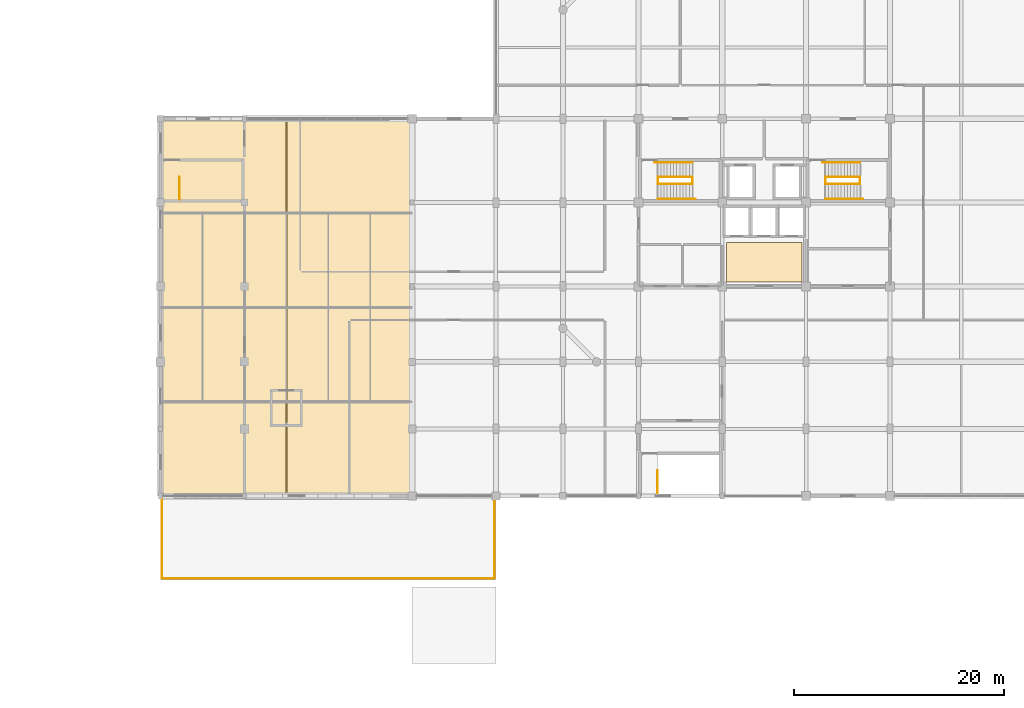
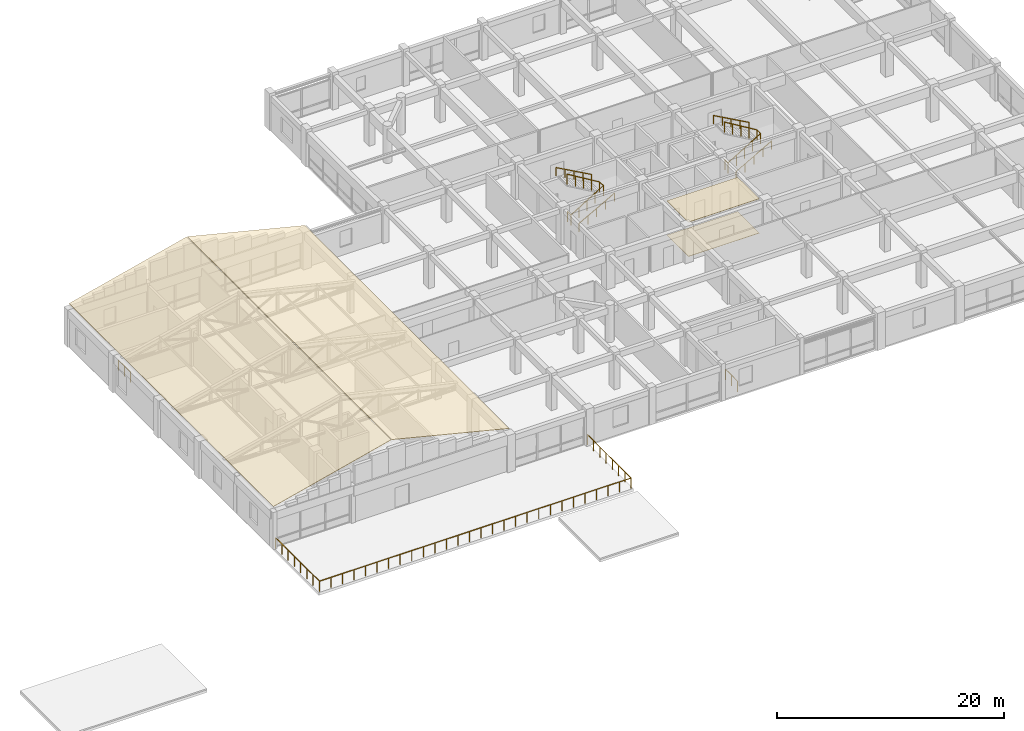
# One storey, part 27 of 27: 11 railings, 4 coverings.
"""IFC4 building model written with IfcOpenShell, lengths in metres."""

from ifc_helpers import new_model, si_unit, direction, frame, origin, origin_2d, place, context, subcontext, project, spatial, polyline, circle, outline, extrude, material, layer, layer_set, type_object, element, save


model = new_model("IFC4")

# Units and contexts
model_context = context("Model", 3, precision=1e-05, world=origin(), true_north=direction((0.0, 1.0)))
body_context = subcontext(model_context, "Body", "Model", "MODEL_VIEW")
ifc_project = project(units=[si_unit("LENGTHUNIT", "METRE"), si_unit("AREAUNIT", "SQUARE_METRE"), si_unit("VOLUMEUNIT", "CUBIC_METRE"), si_unit("PLANEANGLEUNIT", "RADIAN"), si_unit("MASSUNIT", "GRAM", prefix="KILO")], contexts=[model_context])

# Site, building, storey
site_placement = place(None, origin())
site = spatial("IfcSite", under=ifc_project, at=site_placement, CompositionType="ELEMENT")
building_placement = place(site_placement, origin())
building = spatial("IfcBuilding", under=site, at=building_placement, Name="Vellmiral Cinema and Media Centre", CompositionType="ELEMENT")
storey_placement = place(building_placement, frame((0.0, 0.0, 19.800048828125)))
storey = spatial("IfcBuildingStorey", under=building, at=storey_placement, Name="L04", CompositionType="ELEMENT", Elevation=19.800048828125)

# Coverings
ifc_material_1 = material(Name="Micro-Perforated Acoustic Gypsum Ceiling")
ifc_layer_1 = layer(ifc_material_1, 0.0400390625, Name="Micro-Perforated Acoustic Gypsum Ceiling")
ifc_layer_set_1 = layer_set([ifc_layer_1], Name="Micro-Perforated Acoustic Gypsum Ceiling")
covering_type_1 = type_object("IfcCoveringType", Name="COV-AC-CEILING", PredefinedType="CEILING", material=ifc_layer_set_1)
covering_1_placement = place(storey_placement, frame((0.0, 0.0, 3.679931640625)))
element("IfcCovering", 1, at=covering_1_placement, inside=storey, type_object=covering_type_1, Name="Acoustic Lobby Ceiling L04", PredefinedType="CEILING", context=body_context, shape_type="SweptSolid", body=[
    extrude(outline(polyline([(132.39990234375, 79.60009765625), (139.60009765625, 79.60009765625), (139.60009765625, 83.39990234375), (132.39990234375, 83.39990234375), (132.39990234375, 79.60009765625)])), origin(), (0.0, 0.0, 1.0), 0.0400390625),
])
ifc_material_2 = material(Name="Honed Terrazzo Acoustic Floor Finish")
ifc_layer_2 = layer(ifc_material_2, 0.030029296875, Name="Honed Terrazzo Acoustic Floor Finish")
ifc_layer_set_2 = layer_set([ifc_layer_2], Name="Honed Terrazzo Acoustic Floor Finish")
covering_type_2 = type_object("IfcCoveringType", Name="COV-TERR-FLOORING", PredefinedType="FLOORING", material=ifc_layer_set_2)
covering_2_placement = place(storey_placement, origin())
element("IfcCovering", 2, at=covering_2_placement, inside=storey, type_object=covering_type_2, Name="Terrazzo Lobby Flooring L04", PredefinedType="FLOORING", context=body_context, shape_type="SweptSolid", body=[
    extrude(outline(polyline([(132.39990234375, 79.60009765625), (139.60009765625, 79.60009765625), (139.60009765625, 83.39990234375), (132.39990234375, 83.39990234375), (132.39990234375, 79.60009765625)])), origin(), (0.0, 0.0, 1.0), 0.030029296875),
])
ifc_material_3 = material(Name="Glazed Catalan Ceramic Roof Tile")
ifc_layer_3 = layer(ifc_material_3, 0.044921875, Name="Glazed Catalan Ceramic Roof Tile")
ifc_layer_set_3 = layer_set([ifc_layer_3], Name="Glazed Catalan Ceramic Roof Tile")
covering_type_3 = type_object("IfcCoveringType", Name="COV-VAULT-ROOFING", PredefinedType="ROOFING", material=ifc_layer_set_3)
covering_3_placement = place(storey_placement, frame((78.39990234375, 59.199951171875, 4.417236328125), z_axis=(-0.241929649535, 0.0, 0.97029379297), x_axis=(0.97029379297, 0.0, 0.241929649535)))
element("IfcCovering", 3, at=covering_3_placement, inside=storey, type_object=covering_type_3, Name="Stepped Broadcast Bridge Barrel Vault Catalan Ceramic Vault Roofing A", PredefinedType="ROOFING", context=body_context, shape_type="SweptSolid", body=[
    extrude(outline(polyline([(0.0, 0.0), (12.324613617436892, 0.0), (12.324613617436892, 36.0), (0.0, 36.0), (0.0, 0.0)])), origin(), (0.0, 0.0, -1.0), 0.044921875),
])
covering_4_placement = place(storey_placement, frame((90.441650390625, 59.199951171875, 7.39892578125), z_axis=(0.241934299688, 0.0, 0.970292633505), x_axis=(0.970292633505, 0.0, -0.241934299688)))
element("IfcCovering", 4, at=covering_4_placement, inside=storey, type_object=covering_type_3, Name="Stepped Broadcast Bridge Barrel Vault Catalan Ceramic Vault Roofing B", PredefinedType="ROOFING", context=body_context, shape_type="SweptSolid", body=[
    extrude(outline(polyline([(0.0, 0.0), (12.324376729445378, 0.0), (12.324376729445378, 36.0), (0.0, 36.0), (0.0, 0.0)])), origin(), (0.0, 0.0, -1.0), 0.044921875),
])

# Railings
ifc_material_4 = material(Name="Forged Wrought-Iron Whiplash Balustrade", Category="steel")
railing_type_1 = type_object("IfcRailingType", Name="RL-BAL-WROUGHT-1120", PredefinedType="BALUSTRADE", material=ifc_material_4)
railing_1_placement = place(storey_placement, frame((78.550048828125, 59.050048828125, 0.0)))
element("IfcRailing", 5, at=railing_1_placement, inside=storey, type_object=railing_type_1, Name="Terrace Wrought-Iron Balustrade RL-TERR-L04-SOUTH", PredefinedType="BALUSTRADE", context=body_context, shape_type="SweptSolid", body=[
    extrude(circle(Radius=0.02392578125, at=origin_2d()), frame((0.0, 0.0, 1.09619140625), z_axis=(0.0, -1.0, 0.0), x_axis=(1.0, 0.0, 0.0)), (0.0, 0.0, 1.0), 7.699951171875),
    extrude(circle(Radius=0.02392578125, at=origin_2d()), frame((0.0, -7.699951171875, 1.09619140625), z_axis=(1.0, 0.0, 0.0), x_axis=(0.0, 1.0, 0.0)), (0.0, 0.0, 1.0), 31.699951171875),
    extrude(circle(Radius=0.02392578125, at=origin_2d()), frame((31.699951171875, -7.699951171875, 1.09619140625), z_axis=(0.0, 1.0, 0.0), x_axis=(-1.0, 0.0, 0.0)), (0.0, 0.0, 1.0), 7.699951171875),
    extrude(circle(Radius=0.02099609375, at=origin_2d()), origin(), (0.0, 0.0, 1.0), 1.072021484375),
    extrude(circle(Radius=0.02099609375, at=origin_2d()), frame((0.0, -1.10009765625, 0.0)), (0.0, 0.0, 1.0), 1.072021484375),
    extrude(circle(Radius=0.02099609375, at=origin_2d()), frame((0.0, -2.199951171875, 0.0)), (0.0, 0.0, 1.0), 1.072021484375),
    extrude(circle(Radius=0.02099609375, at=origin_2d()), frame((0.0, -3.300048828125, 0.0)), (0.0, 0.0, 1.0), 1.072021484375),
    extrude(circle(Radius=0.02099609375, at=origin_2d()), frame((0.0, -4.39990234375, 0.0)), (0.0, 0.0, 1.0), 1.072021484375),
    extrude(circle(Radius=0.02099609375, at=origin_2d()), frame((0.0, -5.5, 0.0)), (0.0, 0.0, 1.0), 1.072021484375),
    extrude(circle(Radius=0.02099609375, at=origin_2d()), frame((0.0, -6.599853515625, 0.0)), (0.0, 0.0, 1.0), 1.072021484375),
    extrude(circle(Radius=0.02099609375, at=origin_2d()), frame((0.0, -7.699951171875, 0.0)), (0.0, 0.0, 1.0), 1.072021484375),
    extrude(circle(Radius=0.02099609375, at=origin_2d()), frame((1.174072265625, -7.699951171875, 0.0)), (0.0, 0.0, 1.0), 1.072021484375),
    extrude(circle(Radius=0.02099609375, at=origin_2d()), frame((2.34814453125, -7.699951171875, 0.0)), (0.0, 0.0, 1.0), 1.072021484375),
    extrude(circle(Radius=0.02099609375, at=origin_2d()), frame((3.522216796875, -7.699951171875, 0.0)), (0.0, 0.0, 1.0), 1.072021484375),
    extrude(circle(Radius=0.02099609375, at=origin_2d()), frame((4.6962890625, -7.699951171875, 0.0)), (0.0, 0.0, 1.0), 1.072021484375),
    extrude(circle(Radius=0.02099609375, at=origin_2d()), frame((5.870361328125, -7.699951171875, 0.0)), (0.0, 0.0, 1.0), 1.072021484375),
    extrude(circle(Radius=0.02099609375, at=origin_2d()), frame((7.04443359375, -7.699951171875, 0.0)), (0.0, 0.0, 1.0), 1.072021484375),
    extrude(circle(Radius=0.02099609375, at=origin_2d()), frame((8.218505859375, -7.699951171875, 0.0)), (0.0, 0.0, 1.0), 1.072021484375),
    extrude(circle(Radius=0.02099609375, at=origin_2d()), frame((9.392578125, -7.699951171875, 0.0)), (0.0, 0.0, 1.0), 1.072021484375),
    extrude(circle(Radius=0.02099609375, at=origin_2d()), frame((10.566650390625, -7.699951171875, 0.0)), (0.0, 0.0, 1.0), 1.072021484375),
    extrude(circle(Radius=0.02099609375, at=origin_2d()), frame((11.74072265625, -7.699951171875, 0.0)), (0.0, 0.0, 1.0), 1.072021484375),
    extrude(circle(Radius=0.02099609375, at=origin_2d()), frame((12.914794921875, -7.699951171875, 0.0)), (0.0, 0.0, 1.0), 1.072021484375),
    extrude(circle(Radius=0.02099609375, at=origin_2d()), frame((14.0888671875, -7.699951171875, 0.0)), (0.0, 0.0, 1.0), 1.072021484375),
    extrude(circle(Radius=0.02099609375, at=origin_2d()), frame((15.262939453125, -7.699951171875, 0.0)), (0.0, 0.0, 1.0), 1.072021484375),
    extrude(circle(Radius=0.02099609375, at=origin_2d()), frame((16.43701171875, -7.699951171875, 0.0)), (0.0, 0.0, 1.0), 1.072021484375),
    extrude(circle(Radius=0.02099609375, at=origin_2d()), frame((17.611083984375, -7.699951171875, 0.0)), (0.0, 0.0, 1.0), 1.072021484375),
    extrude(circle(Radius=0.02099609375, at=origin_2d()), frame((18.78515625, -7.699951171875, 0.0)), (0.0, 0.0, 1.0), 1.072021484375),
    extrude(circle(Radius=0.02099609375, at=origin_2d()), frame((19.959228515625, -7.699951171875, 0.0)), (0.0, 0.0, 1.0), 1.072021484375),
    extrude(circle(Radius=0.02099609375, at=origin_2d()), frame((21.13330078125, -7.699951171875, 0.0)), (0.0, 0.0, 1.0), 1.072021484375),
    extrude(circle(Radius=0.02099609375, at=origin_2d()), frame((22.307373046875, -7.699951171875, 0.0)), (0.0, 0.0, 1.0), 1.072021484375),
    extrude(circle(Radius=0.02099609375, at=origin_2d()), frame((23.4814453125, -7.699951171875, 0.0)), (0.0, 0.0, 1.0), 1.072021484375),
    extrude(circle(Radius=0.02099609375, at=origin_2d()), frame((24.655517578125, -7.699951171875, 0.0)), (0.0, 0.0, 1.0), 1.072021484375),
    extrude(circle(Radius=0.02099609375, at=origin_2d()), frame((25.82958984375, -7.699951171875, 0.0)), (0.0, 0.0, 1.0), 1.072021484375),
    extrude(circle(Radius=0.02099609375, at=origin_2d()), frame((27.003662109375, -7.699951171875, 0.0)), (0.0, 0.0, 1.0), 1.072021484375),
    extrude(circle(Radius=0.02099609375, at=origin_2d()), frame((28.177734375, -7.699951171875, 0.0)), (0.0, 0.0, 1.0), 1.072021484375),
    extrude(circle(Radius=0.02099609375, at=origin_2d()), frame((29.351806640625, -7.699951171875, 0.0)), (0.0, 0.0, 1.0), 1.072021484375),
    extrude(circle(Radius=0.02099609375, at=origin_2d()), frame((30.52587890625, -7.699951171875, 0.0)), (0.0, 0.0, 1.0), 1.072021484375),
    extrude(circle(Radius=0.02099609375, at=origin_2d()), frame((31.699951171875, -7.699951171875, 0.0)), (0.0, 0.0, 1.0), 1.072021484375),
    extrude(circle(Radius=0.02099609375, at=origin_2d()), frame((31.699951171875, -6.599853515625, 0.0)), (0.0, 0.0, 1.0), 1.072021484375),
    extrude(circle(Radius=0.02099609375, at=origin_2d()), frame((31.699951171875, -5.5, 0.0)), (0.0, 0.0, 1.0), 1.072021484375),
    extrude(circle(Radius=0.02099609375, at=origin_2d()), frame((31.699951171875, -4.39990234375, 0.0)), (0.0, 0.0, 1.0), 1.072021484375),
    extrude(circle(Radius=0.02099609375, at=origin_2d()), frame((31.699951171875, -3.300048828125, 0.0)), (0.0, 0.0, 1.0), 1.072021484375),
    extrude(circle(Radius=0.02099609375, at=origin_2d()), frame((31.699951171875, -2.199951171875, 0.0)), (0.0, 0.0, 1.0), 1.072021484375),
    extrude(circle(Radius=0.02099609375, at=origin_2d()), frame((31.699951171875, -1.10009765625, 0.0)), (0.0, 0.0, 1.0), 1.072021484375),
    extrude(circle(Radius=0.02099609375, at=origin_2d()), frame((31.699951171875, 0.0, 0.0)), (0.0, 0.0, 1.0), 1.072021484375),
])
ifc_material_5 = material(Name="Brushed Stainless Steel Handrail", Category="steel")
railing_type_2 = type_object("IfcRailingType", Name="RL-HANDRAIL-900", PredefinedType="HANDRAIL", material=ifc_material_5)
railing_2_placement = place(storey_placement, frame((125.85009765625, 87.56005859375, 0.16650390625)))
element("IfcRailing", 6, at=railing_2_placement, inside=storey, type_object=railing_type_2, Name="Stair Wall Handrail ST-T1 L04-1", PredefinedType="HANDRAIL", context=body_context, shape_type="SweptSolid", body=[
    extrude(circle(Radius=0.02392578125, at=origin_2d()), frame((0.0, 0.0, 0.8759765625), z_axis=(0.874148886685, 0.0, 0.485658031857), x_axis=(0.0, 1.0, 0.0)), (0.0, 0.0, 1.0), 4.1181640625),
    extrude(circle(Radius=0.02099609375, at=origin_2d()), origin(), (0.0, 0.0, 1.0), 0.851806640625),
    extrude(circle(Radius=0.02099609375, at=origin_2d()), frame((0.89990234375, 0.0, 0.5)), (0.0, 0.0, 1.0), 0.851806640625),
    extrude(circle(Radius=0.02099609375, at=origin_2d()), frame((1.7998046875, 0.0, 1.0)), (0.0, 0.0, 1.0), 0.851806640625),
    extrude(circle(Radius=0.02099609375, at=origin_2d()), frame((2.699951171875, 0.0, 1.5)), (0.0, 0.0, 1.0), 0.851806640625),
    extrude(circle(Radius=0.02099609375, at=origin_2d()), frame((3.599853515625, 0.0, 2.0)), (0.0, 0.0, 1.0), 0.851806640625),
])
railing_3_placement = place(storey_placement, frame((129.14990234375, 91.0400390625, 2.16650390625)))
element("IfcRailing", 7, at=railing_3_placement, inside=storey, type_object=railing_type_2, Name="Stair Wall Handrail ST-T1 L04-2", PredefinedType="HANDRAIL", context=body_context, shape_type="SweptSolid", body=[
    extrude(circle(Radius=0.02392578125, at=origin_2d()), frame((0.0, 0.0, 0.8759765625), z_axis=(-0.874148886685, 0.0, 0.485658031857), x_axis=(0.0, -1.0, 0.0)), (0.0, 0.0, 1.0), 4.1181640625),
    extrude(circle(Radius=0.02099609375, at=origin_2d()), origin(), (0.0, 0.0, 1.0), 0.851806640625),
    extrude(circle(Radius=0.02099609375, at=origin_2d()), frame((-0.89990234375, 0.0, 0.5)), (0.0, 0.0, 1.0), 0.851806640625),
    extrude(circle(Radius=0.02099609375, at=origin_2d()), frame((-1.7998046875, 0.0, 1.0)), (0.0, 0.0, 1.0), 0.851806640625),
    extrude(circle(Radius=0.02099609375, at=origin_2d()), frame((-2.699951171875, 0.0, 1.5)), (0.0, 0.0, 1.0), 0.851806640625),
    extrude(circle(Radius=0.02099609375, at=origin_2d()), frame((-3.599853515625, 0.0, 2.0)), (0.0, 0.0, 1.0), 0.851806640625),
])
railing_4_placement = place(storey_placement, frame((141.85009765625, 87.56005859375, 0.16650390625)))
element("IfcRailing", 8, at=railing_4_placement, inside=storey, type_object=railing_type_2, Name="Stair Wall Handrail ST-T2 L04-1", PredefinedType="HANDRAIL", context=body_context, shape_type="SweptSolid", body=[
    extrude(circle(Radius=0.02392578125, at=origin_2d()), frame((0.0, 0.0, 0.8759765625), z_axis=(0.874148886685, 0.0, 0.485658031857), x_axis=(0.0, 1.0, 0.0)), (0.0, 0.0, 1.0), 4.1181640625),
    extrude(circle(Radius=0.02099609375, at=origin_2d()), origin(), (0.0, 0.0, 1.0), 0.851806640625),
    extrude(circle(Radius=0.02099609375, at=origin_2d()), frame((0.89990234375, 0.0, 0.5)), (0.0, 0.0, 1.0), 0.851806640625),
    extrude(circle(Radius=0.02099609375, at=origin_2d()), frame((1.7998046875, 0.0, 1.0)), (0.0, 0.0, 1.0), 0.851806640625),
    extrude(circle(Radius=0.02099609375, at=origin_2d()), frame((2.699951171875, 0.0, 1.5)), (0.0, 0.0, 1.0), 0.851806640625),
    extrude(circle(Radius=0.02099609375, at=origin_2d()), frame((3.599853515625, 0.0, 2.0)), (0.0, 0.0, 1.0), 0.851806640625),
])
railing_5_placement = place(storey_placement, frame((145.14990234375, 91.0400390625, 2.16650390625)))
element("IfcRailing", 9, at=railing_5_placement, inside=storey, type_object=railing_type_2, Name="Stair Wall Handrail ST-T2 L04-2", PredefinedType="HANDRAIL", context=body_context, shape_type="SweptSolid", body=[
    extrude(circle(Radius=0.02392578125, at=origin_2d()), frame((0.0, 0.0, 0.8759765625), z_axis=(-0.874148886685, 0.0, 0.485658031857), x_axis=(0.0, -1.0, 0.0)), (0.0, 0.0, 1.0), 4.1181640625),
    extrude(circle(Radius=0.02099609375, at=origin_2d()), origin(), (0.0, 0.0, 1.0), 0.851806640625),
    extrude(circle(Radius=0.02099609375, at=origin_2d()), frame((-0.89990234375, 0.0, 0.5)), (0.0, 0.0, 1.0), 0.851806640625),
    extrude(circle(Radius=0.02099609375, at=origin_2d()), frame((-1.7998046875, 0.0, 1.0)), (0.0, 0.0, 1.0), 0.851806640625),
    extrude(circle(Radius=0.02099609375, at=origin_2d()), frame((-2.699951171875, 0.0, 1.5)), (0.0, 0.0, 1.0), 0.851806640625),
    extrude(circle(Radius=0.02099609375, at=origin_2d()), frame((-3.599853515625, 0.0, 2.0)), (0.0, 0.0, 1.0), 0.851806640625),
])
ifc_material_6 = material(Name="Painted Steel Stair Guardrail", Category="steel")
railing_type_3 = type_object("IfcRailingType", Name="RL-STAIR-GUARD-1120", PredefinedType="GUARDRAIL", material=ifc_material_6)
for number, where, name in (
    (10, (80.199951171875, 87.5, 0.0), "Top-Landing Stairwell Guard ST-P5 L04"),
    (11, (125.800048828125, 59.5, 0.0), "Top-Landing Stairwell Guard ST-P6 L04"),
):
    element("IfcRailing", number, at=place(storey_placement, frame(where)), inside=storey, type_object=railing_type_3, Name=name, PredefinedType="GUARDRAIL", context=body_context, shape_type="SweptSolid", body=[
        extrude(circle(Radius=0.02392578125, at=origin_2d()), frame((0.0, 0.0, 1.09619140625), z_axis=(0.0, 1.0, 0.0), x_axis=(-1.0, 0.0, 0.0)), (0.0, 0.0, 1.0), 2.139892578125),
        extrude(circle(Radius=0.02099609375, at=origin_2d()), origin(), (0.0, 0.0, 1.0), 1.072021484375),
        extrude(circle(Radius=0.02099609375, at=origin_2d()), frame((0.0, 1.06982421875, 0.0)), (0.0, 0.0, 1.0), 1.072021484375),
        extrude(circle(Radius=0.02099609375, at=origin_2d()), frame((0.0, 2.139892578125, 0.0)), (0.0, 0.0, 1.0), 1.072021484375),
    ])
railing_6_placement = place(storey_placement, frame((125.85009765625, 89.580078125, 0.0)))
element("IfcRailing", 12, at=railing_6_placement, inside=storey, type_object=railing_type_3, Name="Stair Well Guard ST-T1 L04-A", PredefinedType="GUARDRAIL", context=body_context, shape_type="SweptSolid", body=[
    extrude(circle(Radius=0.02392578125, at=origin_2d()), frame((0.0, 0.0, 1.09619140625), z_axis=(0.0, -1.0, 0.0), x_axis=(1.0, 0.0, 0.0)), (0.0, 0.0, 1.0), 0.60009765625),
    extrude(circle(Radius=0.02392578125, at=origin_2d()), frame((0.0, -0.60009765625, 1.09619140625), z_axis=(0.855184233518, 0.0, 0.518324152189), x_axis=(0.0, 1.0, 0.0)), (0.0, 0.0, 1.0), 3.858642578125),
    extrude(circle(Radius=0.02392578125, at=origin_2d()), frame((3.2998046875, -0.60009765625, 3.09619140625), z_axis=(0.0, 1.0, 0.0), x_axis=(-1.0, 0.0, 0.0)), (0.0, 0.0, 1.0), 0.64013671875),
    extrude(circle(Radius=0.02099609375, at=origin_2d()), origin(), (0.0, 0.0, 1.0), 1.072021484375),
    extrude(circle(Radius=0.02099609375, at=origin_2d()), frame((0.0, -0.60009765625, 0.0)), (0.0, 0.0, 1.0), 1.072021484375),
    extrude(circle(Radius=0.02099609375, at=origin_2d()), frame((0.824951171875, -0.60009765625, 0.5)), (0.0, 0.0, 1.0), 1.072021484375),
    extrude(circle(Radius=0.02099609375, at=origin_2d()), frame((1.64990234375, -0.60009765625, 1.0)), (0.0, 0.0, 1.0), 1.072021484375),
    extrude(circle(Radius=0.02099609375, at=origin_2d()), frame((2.474853515625, -0.60009765625, 1.5)), (0.0, 0.0, 1.0), 1.072021484375),
    extrude(circle(Radius=0.02099609375, at=origin_2d()), frame((3.2998046875, -0.60009765625, 2.0)), (0.0, 0.0, 1.0), 1.072021484375),
    extrude(circle(Radius=0.02099609375, at=origin_2d()), frame((3.2998046875, 0.0400390625, 2.0)), (0.0, 0.0, 1.0), 1.072021484375),
])
railing_7_placement = place(storey_placement, frame((129.14990234375, 89.6201171875, 2.0)))
element("IfcRailing", 13, at=railing_7_placement, inside=storey, type_object=railing_type_3, Name="Stair Well Guard ST-T1 L04-B", PredefinedType="GUARDRAIL", context=body_context, shape_type="SweptSolid", body=[
    extrude(circle(Radius=0.02392578125, at=origin_2d()), frame((0.0, 0.0, 1.09619140625), z_axis=(-0.855184233518, 0.0, 0.518324152189), x_axis=(0.0, -1.0, 0.0)), (0.0, 0.0, 1.0), 3.858642578125),
    extrude(circle(Radius=0.02099609375, at=origin_2d()), origin(), (0.0, 0.0, 1.0), 1.072021484375),
    extrude(circle(Radius=0.02099609375, at=origin_2d()), frame((-0.824951171875, 0.0, 0.5)), (0.0, 0.0, 1.0), 1.072021484375),
    extrude(circle(Radius=0.02099609375, at=origin_2d()), frame((-1.64990234375, 0.0, 1.0)), (0.0, 0.0, 1.0), 1.072021484375),
    extrude(circle(Radius=0.02099609375, at=origin_2d()), frame((-2.474853515625, 0.0, 1.5)), (0.0, 0.0, 1.0), 1.072021484375),
    extrude(circle(Radius=0.02099609375, at=origin_2d()), frame((-3.2998046875, 0.0, 2.0)), (0.0, 0.0, 1.0), 1.072021484375),
])
railing_8_placement = place(storey_placement, frame((141.85009765625, 89.580078125, 0.0)))
element("IfcRailing", 14, at=railing_8_placement, inside=storey, type_object=railing_type_3, Name="Stair Well Guard ST-T2 L04-A", PredefinedType="GUARDRAIL", context=body_context, shape_type="SweptSolid", body=[
    extrude(circle(Radius=0.02392578125, at=origin_2d()), frame((0.0, 0.0, 1.09619140625), z_axis=(0.0, -1.0, 0.0), x_axis=(1.0, 0.0, 0.0)), (0.0, 0.0, 1.0), 0.60009765625),
    extrude(circle(Radius=0.02392578125, at=origin_2d()), frame((0.0, -0.60009765625, 1.09619140625), z_axis=(0.855184233518, 0.0, 0.518324152189), x_axis=(0.0, 1.0, 0.0)), (0.0, 0.0, 1.0), 3.858642578125),
    extrude(circle(Radius=0.02392578125, at=origin_2d()), frame((3.2998046875, -0.60009765625, 3.09619140625), z_axis=(0.0, 1.0, 0.0), x_axis=(-1.0, 0.0, 0.0)), (0.0, 0.0, 1.0), 0.64013671875),
    extrude(circle(Radius=0.02099609375, at=origin_2d()), origin(), (0.0, 0.0, 1.0), 1.072021484375),
    extrude(circle(Radius=0.02099609375, at=origin_2d()), frame((0.0, -0.60009765625, 0.0)), (0.0, 0.0, 1.0), 1.072021484375),
    extrude(circle(Radius=0.02099609375, at=origin_2d()), frame((0.824951171875, -0.60009765625, 0.5)), (0.0, 0.0, 1.0), 1.072021484375),
    extrude(circle(Radius=0.02099609375, at=origin_2d()), frame((1.64990234375, -0.60009765625, 1.0)), (0.0, 0.0, 1.0), 1.072021484375),
    extrude(circle(Radius=0.02099609375, at=origin_2d()), frame((2.474853515625, -0.60009765625, 1.5)), (0.0, 0.0, 1.0), 1.072021484375),
    extrude(circle(Radius=0.02099609375, at=origin_2d()), frame((3.2998046875, -0.60009765625, 2.0)), (0.0, 0.0, 1.0), 1.072021484375),
    extrude(circle(Radius=0.02099609375, at=origin_2d()), frame((3.2998046875, 0.0400390625, 2.0)), (0.0, 0.0, 1.0), 1.072021484375),
])
railing_9_placement = place(storey_placement, frame((145.14990234375, 89.6201171875, 2.0)))
element("IfcRailing", 15, at=railing_9_placement, inside=storey, type_object=railing_type_3, Name="Stair Well Guard ST-T2 L04-B", PredefinedType="GUARDRAIL", context=body_context, shape_type="SweptSolid", body=[
    extrude(circle(Radius=0.02392578125, at=origin_2d()), frame((0.0, 0.0, 1.09619140625), z_axis=(-0.855184233518, 0.0, 0.518324152189), x_axis=(0.0, -1.0, 0.0)), (0.0, 0.0, 1.0), 3.858642578125),
    extrude(circle(Radius=0.02099609375, at=origin_2d()), origin(), (0.0, 0.0, 1.0), 1.072021484375),
    extrude(circle(Radius=0.02099609375, at=origin_2d()), frame((-0.824951171875, 0.0, 0.5)), (0.0, 0.0, 1.0), 1.072021484375),
    extrude(circle(Radius=0.02099609375, at=origin_2d()), frame((-1.64990234375, 0.0, 1.0)), (0.0, 0.0, 1.0), 1.072021484375),
    extrude(circle(Radius=0.02099609375, at=origin_2d()), frame((-2.474853515625, 0.0, 1.5)), (0.0, 0.0, 1.0), 1.072021484375),
    extrude(circle(Radius=0.02099609375, at=origin_2d()), frame((-3.2998046875, 0.0, 2.0)), (0.0, 0.0, 1.0), 1.072021484375),
])

save(model, "model.ifc")
